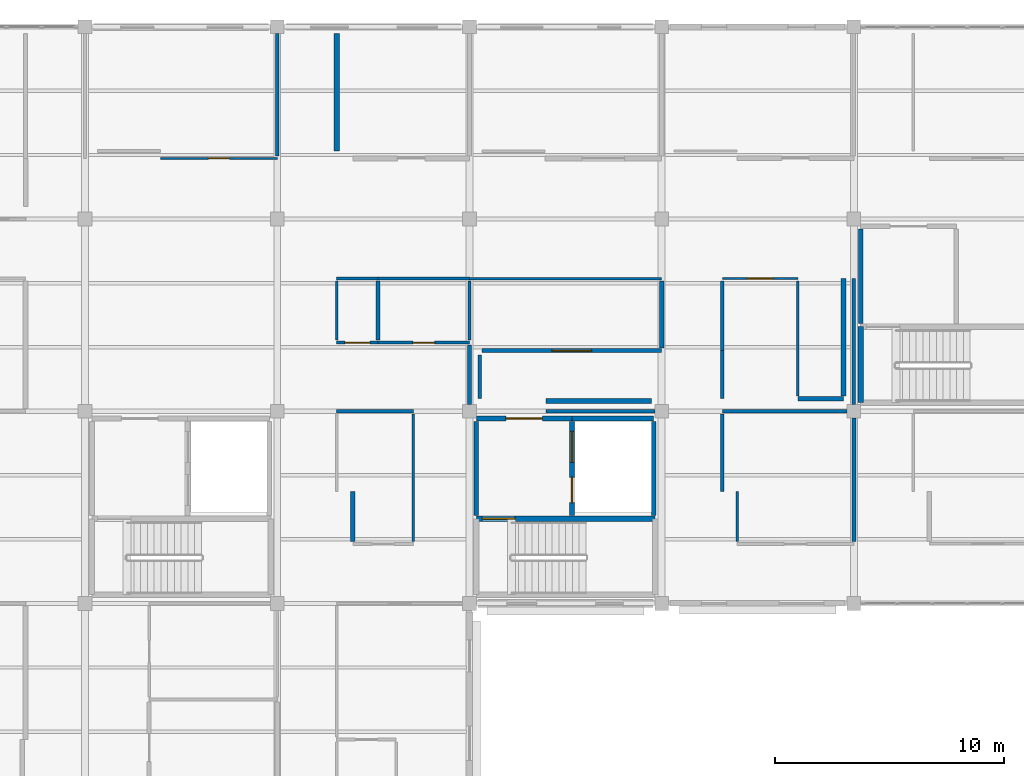
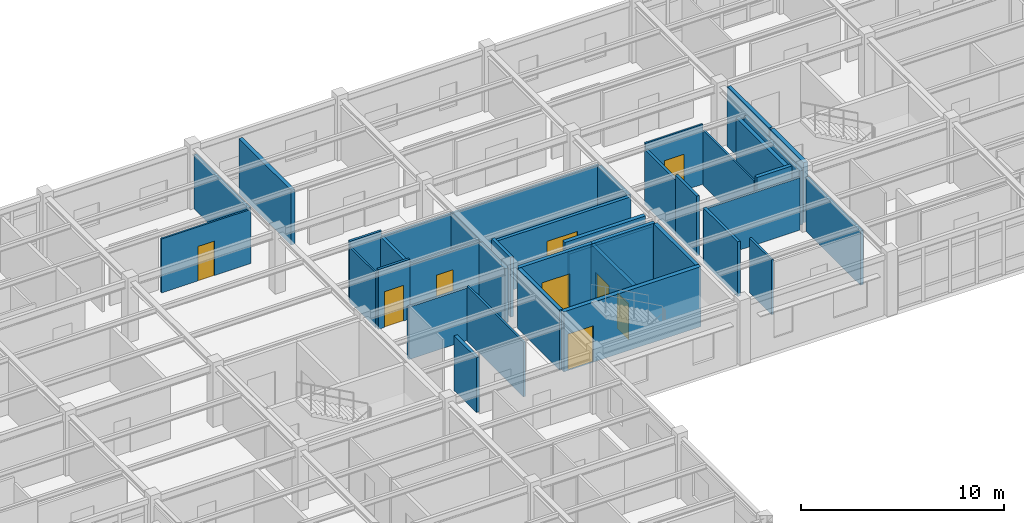
# One storey, part 63 of 86: 39 walls, 9 doors, 9 openings.
"""IFC4 building model written with IfcOpenShell, lengths in metres."""

from ifc_helpers import new_model, si_unit, direction, frame, frame_2d, origin, place, context, subcontext, project, spatial, rectangle, extrude, material, layer, layer_set, type_object, element, fill, save


model = new_model("IFC4")

# Units and contexts
model_context = context("Model", 3, precision=1e-05, world=origin(), true_north=direction((0.0, 1.0)))
body_context = subcontext(model_context, "Body", "Model", "MODEL_VIEW")
ifc_project = project(units=[si_unit("LENGTHUNIT", "METRE"), si_unit("AREAUNIT", "SQUARE_METRE"), si_unit("VOLUMEUNIT", "CUBIC_METRE"), si_unit("PLANEANGLEUNIT", "RADIAN"), si_unit("MASSUNIT", "GRAM", prefix="KILO")], contexts=[model_context])

# Site, building, storey
site_placement = place(None, origin())
site = spatial("IfcSite", under=ifc_project, at=site_placement, CompositionType="ELEMENT")
building_placement = place(site_placement, origin())
building = spatial("IfcBuilding", under=site, at=building_placement, Name="Bramfleet General Hospital", CompositionType="ELEMENT")
storey_placement = place(building_placement, frame((0.0, 0.0, 18.60009765625)))
storey = spatial("IfcBuildingStorey", under=building, at=storey_placement, Name="L04", CompositionType="ELEMENT", Elevation=18.60009765625)

# Walls
ifc_material_1 = material(Name="Concrete C35/45", Category="concrete")
ifc_layer_1 = layer(ifc_material_1, 0.219970703125, Name="WT-IW-01")
ifc_layer_set_1 = layer_set([ifc_layer_1], Name="Concrete C35/45")
wall_type_1 = type_object("IfcWallType", Name="WT-IW-01", PredefinedType="PARTITIONING", material=ifc_layer_set_1)
wall_1_placement = place(storey_placement, frame((120.949951171875, 101.25, 0.0), z_axis=(0.0, 0.0, 1.0), x_axis=(1.0, 0.0, 0.0)))
element("IfcWall", 1, at=wall_1_placement, inside=storey, type_object=wall_type_1, Name="L04 Interior Partition IW-L04-3217", PredefinedType="PARTITIONING", context=body_context, shape_type="SweptSolid", body=[
    extrude(rectangle(XDim=4.60009765625, YDim=0.219970703125, at=frame_2d((2.300048828125, 0.0))), origin(), (0.0, 0.0, 1.0), 3.60986328125),
])
wall_2_placement = place(storey_placement, frame((111.800048828125, 112.169921875, 0.0), z_axis=(0.0, 0.0, 1.0), x_axis=(0.0, 1.0, 0.0)))
element("IfcWall", 2, at=wall_2_placement, inside=storey, type_object=wall_type_1, Name="L04 Interior Partition IW-L04-3397", PredefinedType="PARTITIONING", context=body_context, shape_type="SweptSolid", body=[
    extrude(rectangle(XDim=5.150146484375, YDim=0.219970703125, at=frame_2d((2.5751953125, 0.0))), origin(), (0.0, 0.0, 1.0), 3.309814453125),
])
wall_3_placement = place(storey_placement, frame((133.949951171875, 101.465087890625, 0.0), z_axis=(0.0, 0.0, 1.0), x_axis=(0.0, 1.0, 0.0)))
element("IfcWall", 3, at=wall_3_placement, inside=storey, type_object=wall_type_1, Name="L04 Interior Partition IW-L04-3433", PredefinedType="PARTITIONING", context=body_context, shape_type="SweptSolid", body=[
    extrude(rectangle(XDim=5.135009765625, YDim=0.219970703125, at=frame_2d((2.5673828125, 0.0))), origin(), (0.0, 0.0, 1.0), 3.309814453125),
])

# Wall, openings, doors
ifc_layer_2 = layer(ifc_material_1, 0.205078125, Name="WT-IW-02")
ifc_layer_set_2 = layer_set([ifc_layer_2], Name="Concrete C35/45")
wall_type_2 = type_object("IfcWallType", Name="WT-IW-02", PredefinedType="PARTITIONING", material=ifc_layer_set_2)
wall_4_placement = place(storey_placement, frame((122.080078125, 96.239990234375, 0.0), z_axis=(0.0, 0.0, 1.0), x_axis=(0.0, 1.0, 0.0)))
wall_4 = element("IfcWall", 4, at=wall_4_placement, inside=storey, type_object=wall_type_2, Name="L04 C6 Lobby East Shaft Wall", PredefinedType="PARTITIONING", context=body_context, shape_type="SweptSolid", body=[
    extrude(rectangle(XDim=4.1201171875, YDim=0.205078125, at=frame_2d((2.06005859375, 0.0))), origin(), (0.0, 0.0, 1.0), 3.60986328125),
])
opening_1_placement = place(wall_4_placement, frame((0.570068359375, 0.0, 0.0)))
opening_1 = element("IfcOpeningElement", 5, at=opening_1_placement, cuts=wall_4, Name="Opening LD-PL-04-L04", PredefinedType="OPENING", context=body_context, shape_type="SweptSolid", body=[
    extrude(rectangle(XDim=1.10009765625, YDim=2.14990234375, at=frame_2d((0.550048828125, 1.074951171875))), frame((0.0, 0.112548828125, 0.0), z_axis=(0.0, -1.0, 0.0), x_axis=(1.0, 0.0, 0.0)), (0.0, 0.0, 1.0), 0.22509765625),
])
opening_2_placement = place(wall_4_placement, frame((2.324951171875, 0.0, 0.0)))
opening_2 = element("IfcOpeningElement", 6, at=opening_2_placement, cuts=wall_4, Name="Opening LD-GL-02-L04", PredefinedType="OPENING", context=body_context, shape_type="SweptSolid", body=[
    extrude(rectangle(XDim=1.35009765625, YDim=2.199951171875, at=frame_2d((0.675048828125, 1.10009765625))), frame((0.0, 0.112548828125, 0.0), z_axis=(0.0, -1.0, 0.0), x_axis=(1.0, 0.0, 0.0)), (0.0, 0.0, 1.0), 0.22509765625),
])
ifc_material_2 = material(Name="Brushed stainless steel 1.4301", Category="steel")
door_type_1 = type_object("IfcDoorType", Name="DR-LD-01", OperationType="NOTDEFINED", PredefinedType="DOOR", material=ifc_material_2)
door_1_placement = place(opening_2_placement, origin())
door_1 = element("IfcDoor", 7, at=door_1_placement, inside=storey, type_object=door_type_1, Name="L04 Lift GL-02 Sliding Landing Door", OperationType="SLIDING_TO_LEFT", OverallHeight=2.199951171875, OverallWidth=1.35009765625, PredefinedType="DOOR", context=body_context, shape_type="SweptSolid", body=[
    extrude(rectangle(XDim=1.35009765625, YDim=2.199951171875, at=frame_2d((0.675048828125, 1.10009765625))), frame((0.0, 0.02490234375, 0.0), z_axis=(0.0, -1.0, 0.0), x_axis=(1.0, 0.0, 0.0)), (0.0, 0.0, 1.0), 0.050048828125),
])
fill(opening_2, door_1)
door_type_2 = type_object("IfcDoorType", Name="DR-LD-02", OperationType="NOTDEFINED", PredefinedType="DOOR", material=ifc_material_2)
door_2_placement = place(opening_1_placement, origin())
door_2 = element("IfcDoor", 8, at=door_2_placement, inside=storey, type_object=door_type_2, Name="L04 Lift PL-04 Sliding Landing Door", OperationType="SLIDING_TO_LEFT", OverallHeight=2.14990234375, OverallWidth=1.10009765625, PredefinedType="DOOR", context=body_context, shape_type="SweptSolid", body=[
    extrude(rectangle(XDim=1.10009765625, YDim=2.14990234375, at=frame_2d((0.550048828125, 1.074951171875))), frame((0.0, 0.02490234375, 0.0), z_axis=(0.0, -1.0, 0.0), x_axis=(1.0, 0.0, 0.0)), (0.0, 0.0, 1.0), 0.050048828125),
])
fill(opening_1, door_2)

# Walls
wall_5_placement = place(storey_placement, frame((125.64990234375, 96.239990234375, 0.0), z_axis=(0.0, 0.0, 1.0), x_axis=(0.0, 1.0, 0.0)))
element("IfcWall", 9, at=wall_5_placement, inside=storey, type_object=wall_type_2, Name="L04 C6 Lift Shaft East Wall", PredefinedType="PARTITIONING", context=body_context, shape_type="SweptSolid", body=[
    extrude(rectangle(XDim=4.1201171875, YDim=0.205078125, at=frame_2d((2.06005859375, 0.0))), origin(), (0.0, 0.0, 1.0), 3.60986328125),
])
wall_6_placement = place(storey_placement, frame((122.080078125, 100.47998046875, 0.0), z_axis=(0.0, 0.0, 1.0), x_axis=(1.0, 0.0, 0.0)))
element("IfcWall", 10, at=wall_6_placement, inside=storey, type_object=wall_type_2, Name="L04 C6 Lift Shaft North Wall", PredefinedType="PARTITIONING", context=body_context, shape_type="SweptSolid", body=[
    extrude(rectangle(XDim=3.56982421875, YDim=0.205078125, at=frame_2d((1.784912109375, 0.0))), origin(), (0.0, 0.0, 1.0), 3.60986328125),
])
wall_7_placement = place(storey_placement, frame((117.89990234375, 96.239990234375, 0.0), z_axis=(0.0, 0.0, 1.0), x_axis=(0.0, 1.0, 0.0)))
element("IfcWall", 11, at=wall_7_placement, inside=storey, type_object=wall_type_2, Name="L04 C6 Lobby West Compartment Wall", PredefinedType="PARTITIONING", context=body_context, shape_type="SweptSolid", body=[
    extrude(rectangle(XDim=4.1201171875, YDim=0.205078125, at=frame_2d((2.06005859375, 0.0))), origin(), (0.0, 0.0, 1.0), 3.60986328125),
])

# Wall, opening, door
wall_8_placement = place(storey_placement, frame((117.89990234375, 100.47998046875, 0.0), z_axis=(0.0, 0.0, 1.0), x_axis=(1.0, 0.0, 0.0)))
wall_8 = element("IfcWall", 12, at=wall_8_placement, inside=storey, type_object=wall_type_2, Name="L04 C6 Lobby North Compartment Wall", PredefinedType="PARTITIONING", context=body_context, shape_type="SweptSolid", body=[
    extrude(rectangle(XDim=4.18017578125, YDim=0.205078125, at=frame_2d((2.090087890625, 0.0))), origin(), (0.0, 0.0, 1.0), 3.60986328125),
])
opening_3_placement = place(wall_8_placement, frame((1.2900390625, 0.0, 0.0)))
opening_3 = element("IfcOpeningElement", 13, at=opening_3_placement, cuts=wall_8, Name="Opening D0084", PredefinedType="OPENING", context=body_context, shape_type="SweptSolid", body=[
    extrude(rectangle(XDim=1.60009765625, YDim=2.25, at=frame_2d((0.800048828125, 1.125))), frame((0.0, 0.112548828125, 0.0), z_axis=(0.0, -1.0, 0.0), x_axis=(1.0, 0.0, 0.0)), (0.0, 0.0, 1.0), 0.22509765625),
])
ifc_material_3 = material(Name="Stainless steel and acoustic timber leaf", Category="steel")
door_type_3 = type_object("IfcDoorType", Name="DR-D-04", OperationType="NOTDEFINED", PredefinedType="DOOR", material=ifc_material_3)
door_3_placement = place(opening_3_placement, origin())
door_3 = element("IfcDoor", 14, at=door_3_placement, inside=storey, type_object=door_type_3, Name="L04 C6 Lobby Fire Door D0084", OperationType="DOUBLE_SWING_LEFT", OverallHeight=2.25, OverallWidth=1.60009765625, PredefinedType="DOOR", context=body_context, shape_type="SweptSolid", body=[
    extrude(rectangle(XDim=1.60009765625, YDim=2.25, at=frame_2d((0.800048828125, 1.125))), frame((0.0, 0.02490234375, 0.0), z_axis=(0.0, -1.0, 0.0), x_axis=(1.0, 0.0, 0.0)), (0.0, 0.0, 1.0), 0.050048828125),
])
fill(opening_3, door_3)

# Walls
wall_9_placement = place(storey_placement, frame((134.699951171875, 104.639892578125, 0.0), z_axis=(0.0, 0.0, 1.0), x_axis=(0.0, 1.0, 0.0)))
element("IfcWall", 15, at=wall_9_placement, inside=storey, type_object=wall_type_2, Name="L04 C9 Lobby West Compartment Wall", PredefinedType="PARTITIONING", context=body_context, shape_type="SweptSolid", body=[
    extrude(rectangle(XDim=4.1201171875, YDim=0.205078125, at=frame_2d((2.06005859375, 0.0))), origin(), (0.0, 0.0, 1.0), 3.60986328125),
])
wall_10_placement = place(storey_placement, frame((131.949951171875, 101.35009765625, 0.0), z_axis=(0.0, 0.0, 1.0), x_axis=(1.0, 0.0, 0.0)))
element("IfcWall", 16, at=wall_10_placement, inside=storey, type_object=wall_type_2, Name="L04 Interior Partition IW-L04-3218", PredefinedType="PARTITIONING", context=body_context, shape_type="SweptSolid", body=[
    extrude(rectangle(XDim=2.0, YDim=0.205078125, at=frame_2d((1.0, 0.0))), origin(), (0.0, 0.0, 1.0), 3.60986328125),
])
wall_11_placement = place(storey_placement, frame((126.0, 103.56494140625, 0.0), z_axis=(0.0, 0.0, 1.0), x_axis=(0.0, 1.0, 0.0)))
element("IfcWall", 17, at=wall_11_placement, inside=storey, type_object=wall_type_2, Name="L04 Interior Partition IW-L04-3422", PredefinedType="PARTITIONING", context=body_context, shape_type="SweptSolid", body=[
    extrude(rectangle(XDim=2.920166015625, YDim=0.205078125, at=frame_2d((1.4599609375, 0.0))), origin(), (0.0, 0.0, 1.0), 3.260009765625),
])
ifc_layer_3 = layer(ifc_material_1, 0.18994140625, Name="WT-IW-03")
ifc_layer_set_3 = layer_set([ifc_layer_3], Name="Concrete C35/45")
wall_type_3 = type_object("IfcWallType", Name="WT-IW-03", PredefinedType="PARTITIONING", material=ifc_layer_set_3)
wall_12_placement = place(storey_placement, frame((117.60009765625, 101.094970703125, 0.0), z_axis=(0.0, 0.0, 1.0), x_axis=(0.0, 1.0, 0.0)))
element("IfcWall", 18, at=wall_12_placement, inside=storey, type_object=wall_type_3, Name="L04 Interior Partition IW-L04-3411", PredefinedType="PARTITIONING", context=body_context, shape_type="SweptSolid", body=[
    extrude(rectangle(XDim=2.590087890625, YDim=0.18994140625, at=frame_2d((1.294921875, 0.0))), origin(), (0.0, 0.0, 1.0), 3.260009765625),
])

# Wall, opening, door
ifc_layer_4 = layer(ifc_material_1, 0.179931640625, Name="WT-IW-04")
ifc_layer_set_4 = layer_set([ifc_layer_4], Name="Concrete C35/45")
wall_type_4 = type_object("IfcWallType", Name="WT-IW-04", PredefinedType="PARTITIONING", material=ifc_layer_set_4)
wall_13_placement = place(storey_placement, frame((118.14990234375, 103.449951171875, 0.0), z_axis=(0.0, 0.0, 1.0), x_axis=(1.0, 0.0, 0.0)))
wall_13 = element("IfcWall", 19, at=wall_13_placement, inside=storey, type_object=wall_type_4, Name="L04 Interior Partition IW-L04-3220", PredefinedType="PARTITIONING", context=body_context, shape_type="SweptSolid", body=[
    extrude(rectangle(XDim=7.85009765625, YDim=0.179931640625, at=frame_2d((3.925048828125, 0.0))), origin(), (0.0, 0.0, 1.0), 3.260009765625),
])
opening_4_placement = place(wall_13_placement, frame((3.054931640625, 0.0, 0.0)))
opening_4 = element("IfcOpeningElement", 20, at=opening_4_placement, cuts=wall_13, Name="Opening D1299", PredefinedType="OPENING", context=body_context, shape_type="SweptSolid", body=[
    extrude(rectangle(XDim=1.739990234375, YDim=2.239990234375, at=frame_2d((0.8701171875, 1.1201171875))), frame((0.0, 0.099853515625, 0.0), z_axis=(0.0, -1.0, 0.0), x_axis=(1.0, 0.0, 0.0)), (0.0, 0.0, 1.0), 0.199951171875),
])
door_type_4 = type_object("IfcDoorType", Name="DR-D-19", OperationType="NOTDEFINED", PredefinedType="DOOR", material=ifc_material_3)
door_4_placement = place(opening_4_placement, origin())
door_4 = element("IfcDoor", 21, at=door_4_placement, inside=storey, type_object=door_type_4, Name="Patient Dayroom and Garden Lounge L04-1412 Door D1299", OperationType="DOUBLE_SWING_RIGHT", OverallHeight=2.239990234375, OverallWidth=1.739990234375, PredefinedType="DOOR", context=body_context, shape_type="SweptSolid", body=[
    extrude(rectangle(XDim=1.739990234375, YDim=2.239990234375, at=frame_2d((0.8701171875, 1.1201171875))), frame((0.0, 0.02490234375, 0.0), z_axis=(0.0, -1.0, 0.0), x_axis=(1.0, 0.0, 0.0)), (0.0, 0.0, 1.0), 0.050048828125),
])
fill(opening_4, door_4)

# Walls
wall_14_placement = place(storey_placement, frame((112.5, 95.114990234375, 0.0), z_axis=(0.0, 0.0, 1.0), x_axis=(0.0, 1.0, 0.0)))
element("IfcWall", 22, at=wall_14_placement, inside=storey, type_object=wall_type_4, Name="L04 Interior Partition IW-L04-3400", PredefinedType="PARTITIONING", context=body_context, shape_type="SweptSolid", body=[
    extrude(rectangle(XDim=2.18505859375, YDim=0.179931640625, at=frame_2d((1.092529296875, 0.0))), origin(), (0.0, 0.0, 1.0), 3.309814453125),
])
ifc_material_4 = material(Name="Gypsum plasterboard on acoustic steel studs", Category="steel")
ifc_layer_5 = layer(ifc_material_4, 0.169921875, Name="WT-IW-05")
ifc_layer_set_5 = layer_set([ifc_layer_5], Name="Gypsum plasterboard on acoustic steel studs")
wall_type_5 = type_object("IfcWallType", Name="WT-IW-05", PredefinedType="PARTITIONING", material=ifc_layer_set_5)
wall_15_placement = place(storey_placement, frame((113.60009765625, 103.9150390625, 0.0), z_axis=(0.0, 0.0, 1.0), x_axis=(0.0, 1.0, 0.0)))
element("IfcWall", 23, at=wall_15_placement, inside=storey, type_object=wall_type_5, Name="L04 Interior Partition IW-L04-3401", PredefinedType="PARTITIONING", context=body_context, shape_type="SweptSolid", body=[
    extrude(rectangle(XDim=2.570068359375, YDim=0.169921875, at=frame_2d((1.28515625, 0.0))), origin(), (0.0, 0.0, 1.0), 3.309814453125),
])
wall_16_placement = place(storey_placement, frame((134.39990234375, 95.114990234375, 0.0), z_axis=(0.0, 0.0, 1.0), x_axis=(0.0, 1.0, 0.0)))
element("IfcWall", 24, at=wall_16_placement, inside=storey, type_object=wall_type_5, Name="L04 Interior Partition IW-L04-3437", PredefinedType="PARTITIONING", context=body_context, shape_type="SweptSolid", body=[
    extrude(rectangle(XDim=5.389892578125, YDim=0.169921875, at=frame_2d((2.69482421875, 0.0))), origin(), (0.0, 0.0, 1.0), 3.260009765625),
])
ifc_layer_6 = layer(ifc_material_4, 0.159912109375, Name="WT-IW-06")
ifc_layer_set_6 = layer_set([ifc_layer_6], Name="Gypsum plasterboard on acoustic steel studs")
wall_type_6 = type_object("IfcWallType", Name="WT-IW-06", PredefinedType="PARTITIONING", material=ifc_layer_set_6)
wall_17_placement = place(storey_placement, frame((111.800048828125, 100.800048828125, 0.0), z_axis=(0.0, 0.0, 1.0), x_axis=(1.0, 0.0, 0.0)))
element("IfcWall", 25, at=wall_17_placement, inside=storey, type_object=wall_type_6, Name="L04 Interior Partition IW-L04-3210", PredefinedType="PARTITIONING", context=body_context, shape_type="SweptSolid", body=[
    extrude(rectangle(XDim=3.349853515625, YDim=0.159912109375, at=frame_2d((1.6748046875, 0.0))), origin(), (0.0, 0.0, 1.0), 3.159912109375),
])
wall_18_placement = place(storey_placement, frame((109.199951171875, 111.965087890625, 0.0), z_axis=(0.0, 0.0, 1.0), x_axis=(0.0, 1.0, 0.0)))
element("IfcWall", 26, at=wall_18_placement, inside=storey, type_object=wall_type_6, Name="L04 Interior Partition IW-L04-3378", PredefinedType="PARTITIONING", context=body_context, shape_type="SweptSolid", body=[
    extrude(rectangle(XDim=5.33984375, YDim=0.159912109375, at=frame_2d((2.669921875, 0.0))), origin(), (0.0, 0.0, 1.0), 3.260009765625),
])
wall_19_placement = place(storey_placement, frame((118.050048828125, 101.364990234375, 0.0), z_axis=(0.0, 0.0, 1.0), x_axis=(0.0, 1.0, 0.0)))
element("IfcWall", 27, at=wall_19_placement, inside=storey, type_object=wall_type_6, Name="L04 Interior Partition IW-L04-3414", PredefinedType="PARTITIONING", context=body_context, shape_type="SweptSolid", body=[
    extrude(rectangle(XDim=1.885009765625, YDim=0.159912109375, at=frame_2d((0.9423828125, 0.0))), origin(), (0.0, 0.0, 1.0), 3.60986328125),
])
wall_20_placement = place(storey_placement, frame((128.64990234375, 97.300048828125, 0.0), z_axis=(0.0, 0.0, 1.0), x_axis=(0.0, 1.0, 0.0)))
element("IfcWall", 28, at=wall_20_placement, inside=storey, type_object=wall_type_6, Name="L04 Interior Partition IW-L04-3426", PredefinedType="PARTITIONING", context=body_context, shape_type="SweptSolid", body=[
    extrude(rectangle(XDim=3.385009765625, YDim=0.159912109375, at=frame_2d((1.6923828125, 0.0))), origin(), (0.0, 0.0, 1.0), 3.309814453125),
])
wall_21_placement = place(storey_placement, frame((134.39990234375, 101.094970703125, 0.0), z_axis=(0.0, 0.0, 1.0), x_axis=(0.0, 1.0, 0.0)))
element("IfcWall", 29, at=wall_21_placement, inside=storey, type_object=wall_type_6, Name="L04 Interior Partition IW-L04-3438", PredefinedType="PARTITIONING", context=body_context, shape_type="SweptSolid", body=[
    extrude(rectangle(XDim=5.505126953125, YDim=0.159912109375, at=frame_2d((2.75244140625, 0.0))), origin(), (0.0, 0.0, 1.0), 3.260009765625),
])
ifc_layer_7 = layer(ifc_material_4, 0.14990234375, Name="WT-IW-07")
ifc_layer_set_7 = layer_set([ifc_layer_7], Name="Gypsum plasterboard on acoustic steel studs")
wall_type_7 = type_object("IfcWallType", Name="WT-IW-07", PredefinedType="PARTITIONING", material=ifc_layer_set_7)
wall_22_placement = place(storey_placement, frame((120.949951171875, 100.800048828125, 0.0), z_axis=(0.0, 0.0, 1.0), x_axis=(1.0, 0.0, 0.0)))
element("IfcWall", 30, at=wall_22_placement, inside=storey, type_object=wall_type_7, Name="L04 Interior Partition IW-L04-3211", PredefinedType="PARTITIONING", context=body_context, shape_type="SweptSolid", body=[
    extrude(rectangle(XDim=4.755126953125, YDim=0.14990234375, at=frame_2d((2.37744140625, 0.0))), origin(), (0.0, 0.0, 1.0), 3.159912109375),
])
wall_23_placement = place(storey_placement, frame((128.64990234375, 101.35009765625, 0.0), z_axis=(0.0, 0.0, 1.0), x_axis=(0.0, 1.0, 0.0)))
element("IfcWall", 31, at=wall_23_placement, inside=storey, type_object=wall_type_7, Name="L04 Interior Partition IW-L04-3427", PredefinedType="PARTITIONING", context=body_context, shape_type="SweptSolid", body=[
    extrude(rectangle(XDim=2.099853515625, YDim=0.14990234375, at=frame_2d((1.0498046875, 0.0))), origin(), (0.0, 0.0, 1.0), 3.60986328125),
])
ifc_layer_8 = layer(ifc_material_4, 0.139892578125, Name="WT-IW-08")
ifc_layer_set_8 = layer_set([ifc_layer_8], Name="Gypsum plasterboard on acoustic steel studs")
wall_type_8 = type_object("IfcWallType", Name="WT-IW-08", PredefinedType="PARTITIONING", material=ifc_layer_set_8)
wall_24_placement = place(storey_placement, frame((128.64990234375, 100.800048828125, 0.0), z_axis=(0.0, 0.0, 1.0), x_axis=(1.0, 0.0, 0.0)))
element("IfcWall", 32, at=wall_24_placement, inside=storey, type_object=wall_type_8, Name="L04 Interior Partition IW-L04-3212", PredefinedType="PARTITIONING", context=body_context, shape_type="SweptSolid", body=[
    extrude(rectangle(XDim=5.455078125, YDim=0.139892578125, at=frame_2d((2.7275390625, 0.0))), origin(), (0.0, 0.0, 1.0), 3.159912109375),
])
wall_25_placement = place(storey_placement, frame((128.64990234375, 103.449951171875, 0.0), z_axis=(0.0, 0.0, 1.0), x_axis=(0.0, 1.0, 0.0)))
element("IfcWall", 33, at=wall_25_placement, inside=storey, type_object=wall_type_8, Name="L04 Interior Partition IW-L04-3428", PredefinedType="PARTITIONING", context=body_context, shape_type="SweptSolid", body=[
    extrude(rectangle(XDim=3.03515625, YDim=0.139892578125, at=frame_2d((1.517578125, 0.0))), origin(), (0.0, 0.0, 1.0), 3.309814453125),
])

# Wall, opening, door
ifc_layer_9 = layer(ifc_material_4, 0.1298828125, Name="WT-IW-09")
ifc_layer_set_9 = layer_set([ifc_layer_9], Name="Gypsum plasterboard on acoustic steel studs")
wall_type_9 = type_object("IfcWallType", Name="WT-IW-09", PredefinedType="PARTITIONING", material=ifc_layer_set_9)
wall_26_placement = place(storey_placement, frame((111.800048828125, 103.800048828125, 0.0), z_axis=(0.0, 0.0, 1.0), x_axis=(1.0, 0.0, 0.0)))
wall_26 = element("IfcWall", 34, at=wall_26_placement, inside=storey, type_object=wall_type_9, Name="L04 Interior Partition IW-L04-3225", PredefinedType="PARTITIONING", context=body_context, shape_type="SweptSolid", body=[
    extrude(rectangle(XDim=1.800048828125, YDim=0.1298828125, at=frame_2d((0.89990234375, 0.0))), origin(), (0.0, 0.0, 1.0), 3.60986328125),
])
opening_5_placement = place(wall_26_placement, frame((0.35009765625, 0.0, 0.0)))
opening_5 = element("IfcOpeningElement", 35, at=opening_5_placement, cuts=wall_26, Name="Opening D1291", PredefinedType="OPENING", context=body_context, shape_type="SweptSolid", body=[
    extrude(rectangle(XDim=1.10009765625, YDim=2.14990234375, at=frame_2d((0.550048828125, 1.074951171875))), frame((0.0, 0.074951171875, 0.0), z_axis=(0.0, -1.0, 0.0), x_axis=(1.0, 0.0, 0.0)), (0.0, 0.0, 1.0), 0.14990234375),
])
door_type_5 = type_object("IfcDoorType", Name="DR-D-11", OperationType="NOTDEFINED", PredefinedType="DOOR", material=ifc_material_3)
door_5_placement = place(opening_5_placement, origin())
door_5 = element("IfcDoor", 36, at=door_5_placement, inside=storey, type_object=door_type_5, Name="Clean Medication and Treatment Room L04-1312 Door D1291", OperationType="SINGLE_SWING_RIGHT", OverallHeight=2.14990234375, OverallWidth=1.10009765625, PredefinedType="DOOR", context=body_context, shape_type="SweptSolid", body=[
    extrude(rectangle(XDim=1.10009765625, YDim=2.14990234375, at=frame_2d((0.550048828125, 1.074951171875))), frame((0.0, 0.02490234375, 0.0), z_axis=(0.0, -1.0, 0.0), x_axis=(1.0, 0.0, 0.0)), (0.0, 0.0, 1.0), 0.050048828125),
])
fill(opening_5, door_5)

# Wall
wall_27_placement = place(storey_placement, frame((111.800048828125, 106.60009765625, 0.0), z_axis=(0.0, 0.0, 1.0), x_axis=(1.0, 0.0, 0.0)))
element("IfcWall", 37, at=wall_27_placement, inside=storey, type_object=wall_type_9, Name="L04 Interior Partition IW-L04-3237", PredefinedType="PARTITIONING", context=body_context, shape_type="SweptSolid", body=[
    extrude(rectangle(XDim=1.800048828125, YDim=0.1298828125, at=frame_2d((0.89990234375, 0.0))), origin(), (0.0, 0.0, 1.0), 3.60986328125),
])

# Wall, opening, door
ifc_layer_10 = layer(ifc_material_4, 0.1201171875, Name="WT-IW-10")
ifc_layer_set_10 = layer_set([ifc_layer_10], Name="Gypsum plasterboard on acoustic steel studs")
wall_type_10 = type_object("IfcWallType", Name="WT-IW-10", PredefinedType="PARTITIONING", material=ifc_layer_set_10)
wall_28_placement = place(storey_placement, frame((113.60009765625, 103.800048828125, 0.0), z_axis=(0.0, 0.0, 1.0), x_axis=(1.0, 0.0, 0.0)))
wall_28 = element("IfcWall", 38, at=wall_28_placement, inside=storey, type_object=wall_type_10, Name="L04 Interior Partition IW-L04-3226", PredefinedType="PARTITIONING", context=body_context, shape_type="SweptSolid", body=[
    extrude(rectangle(XDim=4.0, YDim=0.1201171875, at=frame_2d((2.0, 0.0))), origin(), (0.0, 0.0, 1.0), 3.260009765625),
])
opening_6_placement = place(wall_28_placement, frame((1.52490234375, 0.0, 0.0)))
opening_6 = element("IfcOpeningElement", 39, at=opening_6_placement, cuts=wall_28, Name="Opening D1292", PredefinedType="OPENING", context=body_context, shape_type="SweptSolid", body=[
    extrude(rectangle(XDim=0.949951171875, YDim=2.10009765625, at=frame_2d((0.47509765625, 1.050048828125))), frame((0.0, 0.070068359375, 0.0), z_axis=(0.0, -1.0, 0.0), x_axis=(1.0, 0.0, 0.0)), (0.0, 0.0, 1.0), 0.14013671875),
])
door_type_6 = type_object("IfcDoorType", Name="DR-D-10", OperationType="NOTDEFINED", PredefinedType="DOOR", material=ifc_material_3)
door_6_placement = place(opening_6_placement, origin())
door_6 = element("IfcDoor", 40, at=door_6_placement, inside=storey, type_object=door_type_6, Name="L04 Accessible and Staff WC 1312 Door D1292", OperationType="SINGLE_SWING_LEFT", OverallHeight=2.10009765625, OverallWidth=0.949951171875, PredefinedType="DOOR", context=body_context, shape_type="SweptSolid", body=[
    extrude(rectangle(XDim=0.949951171875, YDim=2.10009765625, at=frame_2d((0.47509765625, 1.050048828125))), frame((0.0, 0.02490234375, 0.0), z_axis=(0.0, -1.0, 0.0), x_axis=(1.0, 0.0, 0.0)), (0.0, 0.0, 1.0), 0.050048828125),
])
fill(opening_6, door_6)

# Walls
wall_29_placement = place(storey_placement, frame((113.60009765625, 106.60009765625, 0.0), z_axis=(0.0, 0.0, 1.0), x_axis=(1.0, 0.0, 0.0)))
element("IfcWall", 41, at=wall_29_placement, inside=storey, type_object=wall_type_10, Name="L04 Interior Partition IW-L04-3238", PredefinedType="PARTITIONING", context=body_context, shape_type="SweptSolid", body=[
    extrude(rectangle(XDim=4.0, YDim=0.1201171875, at=frame_2d((2.0, 0.0))), origin(), (0.0, 0.0, 1.0), 3.260009765625),
])
wall_30_placement = place(storey_placement, frame((117.60009765625, 103.9150390625, 0.0), z_axis=(0.0, 0.0, 1.0), x_axis=(0.0, 1.0, 0.0)))
element("IfcWall", 42, at=wall_30_placement, inside=storey, type_object=wall_type_10, Name="L04 Interior Partition IW-L04-3412", PredefinedType="PARTITIONING", context=body_context, shape_type="SweptSolid", body=[
    extrude(rectangle(XDim=2.570068359375, YDim=0.1201171875, at=frame_2d((1.28515625, 0.0))), origin(), (0.0, 0.0, 1.0), 3.260009765625),
])
ifc_layer_11 = layer(ifc_material_4, 0.112060546875, Name="WT-IW-11")
ifc_layer_set_11 = layer_set([ifc_layer_11], Name="Gypsum plasterboard on acoustic steel studs")
wall_type_11 = type_object("IfcWallType", Name="WT-IW-11", PredefinedType="PARTITIONING", material=ifc_layer_set_11)
wall_31_placement = place(storey_placement, frame((117.60009765625, 106.60009765625, 0.0), z_axis=(0.0, 0.0, 1.0), x_axis=(1.0, 0.0, 0.0)))
element("IfcWall", 43, at=wall_31_placement, inside=storey, type_object=wall_type_11, Name="L04 Interior Partition IW-L04-3239", PredefinedType="PARTITIONING", context=body_context, shape_type="SweptSolid", body=[
    extrude(rectangle(XDim=8.39990234375, YDim=0.112060546875, at=frame_2d((4.199951171875, 0.0))), origin(), (0.0, 0.0, 1.0), 3.260009765625),
])
wall_32_placement = place(storey_placement, frame((115.14990234375, 95.114990234375, 0.0), z_axis=(0.0, 0.0, 1.0), x_axis=(0.0, 1.0, 0.0)))
element("IfcWall", 44, at=wall_32_placement, inside=storey, type_object=wall_type_11, Name="L04 Interior Partition IW-L04-3407", PredefinedType="PARTITIONING", context=body_context, shape_type="SweptSolid", body=[
    extrude(rectangle(XDim=5.570068359375, YDim=0.112060546875, at=frame_2d((2.78515625, 0.0))), origin(), (0.0, 0.0, 1.0), 3.309814453125),
])
wall_33_placement = place(storey_placement, frame((129.300048828125, 95.114990234375, 0.0), z_axis=(0.0, 0.0, 1.0), x_axis=(0.0, 1.0, 0.0)))
element("IfcWall", 45, at=wall_33_placement, inside=storey, type_object=wall_type_11, Name="L04 Interior Partition IW-L04-3431", PredefinedType="PARTITIONING", context=body_context, shape_type="SweptSolid", body=[
    extrude(rectangle(XDim=2.18505859375, YDim=0.112060546875, at=frame_2d((1.092529296875, 0.0))), origin(), (0.0, 0.0, 1.0), 3.309814453125),
])

# Wall, opening, door
ifc_layer_12 = layer(ifc_material_4, 0.10009765625, Name="WT-IW-12")
ifc_layer_set_12 = layer_set([ifc_layer_12], Name="Gypsum plasterboard on acoustic steel studs")
wall_type_12 = type_object("IfcWallType", Name="WT-IW-12", PredefinedType="PARTITIONING", material=ifc_layer_set_12)
wall_34_placement = place(storey_placement, frame((128.64990234375, 106.60009765625, 0.0), z_axis=(0.0, 0.0, 1.0), x_axis=(1.0, 0.0, 0.0)))
wall_34 = element("IfcWall", 46, at=wall_34_placement, inside=storey, type_object=wall_type_12, Name="L04 Interior Partition IW-L04-3240", PredefinedType="PARTITIONING", context=body_context, shape_type="SweptSolid", body=[
    extrude(rectangle(XDim=3.300048828125, YDim=0.10009765625, at=frame_2d((1.64990234375, 0.0))), origin(), (0.0, 0.0, 1.0), 3.60986328125),
])
opening_7_placement = place(wall_34_placement, frame((1.090087890625, 0.0, 0.0)))
opening_7 = element("IfcOpeningElement", 47, at=opening_7_placement, cuts=wall_34, Name="Opening D1307", PredefinedType="OPENING", context=body_context, shape_type="SweptSolid", body=[
    extrude(rectangle(XDim=1.1201171875, YDim=2.179931640625, at=frame_2d((0.56005859375, 1.08984375))), frame((0.0, 0.06005859375, 0.0), z_axis=(0.0, -1.0, 0.0), x_axis=(1.0, 0.0, 0.0)), (0.0, 0.0, 1.0), 0.1201171875),
])
door_type_7 = type_object("IfcDoorType", Name="DR-D-27", OperationType="NOTDEFINED", PredefinedType="DOOR", material=ifc_material_3)
door_7_placement = place(opening_7_placement, origin())
door_7 = element("IfcDoor", 48, at=door_7_placement, inside=storey, type_object=door_type_7, Name="Ward Linen and Clean Utility L04-1512 Door D1307", OperationType="SINGLE_SWING_RIGHT", OverallHeight=2.179931640625, OverallWidth=1.1201171875, PredefinedType="DOOR", context=body_context, shape_type="SweptSolid", body=[
    extrude(rectangle(XDim=1.1201171875, YDim=2.179931640625, at=frame_2d((0.56005859375, 1.08984375))), frame((0.0, 0.02490234375, 0.0), z_axis=(0.0, -1.0, 0.0), x_axis=(1.0, 0.0, 0.0)), (0.0, 0.0, 1.0), 0.050048828125),
])
fill(opening_7, door_7)

wall_35_placement = place(storey_placement, frame((104.10009765625, 111.85009765625, 0.0), z_axis=(0.0, 0.0, 1.0), x_axis=(1.0, 0.0, 0.0)))
wall_35 = element("IfcWall", 49, at=wall_35_placement, inside=storey, type_object=wall_type_12, Name="L04 Interior Partition IW-L04-3264", PredefinedType="PARTITIONING", context=body_context, shape_type="SweptSolid", body=[
    extrude(rectangle(XDim=5.099853515625, YDim=0.10009765625, at=frame_2d((2.5498046875, 0.0))), origin(), (0.0, 0.0, 1.0), 3.260009765625),
])
opening_8_placement = place(wall_35_placement, frame((2.090087890625, 0.0, 0.0)))
opening_8 = element("IfcOpeningElement", 50, at=opening_8_placement, cuts=wall_35, Name="Opening D1273", PredefinedType="OPENING", context=body_context, shape_type="SweptSolid", body=[
    extrude(rectangle(XDim=0.919921875, YDim=2.080078125, at=frame_2d((0.4599609375, 1.0400390625))), frame((0.0, 0.06005859375, 0.0), z_axis=(0.0, -1.0, 0.0), x_axis=(1.0, 0.0, 0.0)), (0.0, 0.0, 1.0), 0.1201171875),
])
door_type_8 = type_object("IfcDoorType", Name="DR-D-25", OperationType="NOTDEFINED", PredefinedType="DOOR", material=ifc_material_3)
door_8_placement = place(opening_8_placement, origin())
door_8 = element("IfcDoor", 51, at=door_8_placement, inside=storey, type_object=door_type_8, Name="Surgical Inpatient Ward Bedroom L04-1213 Door D1273", OperationType="SINGLE_SWING_RIGHT", OverallHeight=2.080078125, OverallWidth=0.919921875, PredefinedType="DOOR", context=body_context, shape_type="SweptSolid", body=[
    extrude(rectangle(XDim=0.919921875, YDim=2.080078125, at=frame_2d((0.4599609375, 1.0400390625))), frame((0.0, 0.02490234375, 0.0), z_axis=(0.0, -1.0, 0.0), x_axis=(1.0, 0.0, 0.0)), (0.0, 0.0, 1.0), 0.050048828125),
])
fill(opening_8, door_8)

# Walls
wall_36_placement = place(storey_placement, frame((111.800048828125, 103.9150390625, 0.0), z_axis=(0.0, 0.0, 1.0), x_axis=(0.0, 1.0, 0.0)))
element("IfcWall", 52, at=wall_36_placement, inside=storey, type_object=wall_type_12, Name="L04 Interior Partition IW-L04-3396", PredefinedType="PARTITIONING", context=body_context, shape_type="SweptSolid", body=[
    extrude(rectangle(XDim=2.570068359375, YDim=0.10009765625, at=frame_2d((1.28515625, 0.0))), origin(), (0.0, 0.0, 1.0), 3.309814453125),
])
wall_37_placement = place(storey_placement, frame((131.949951171875, 101.465087890625, 0.0), z_axis=(0.0, 0.0, 1.0), x_axis=(0.0, 1.0, 0.0)))
element("IfcWall", 53, at=wall_37_placement, inside=storey, type_object=wall_type_12, Name="L04 Interior Partition IW-L04-3432", PredefinedType="PARTITIONING", context=body_context, shape_type="SweptSolid", body=[
    extrude(rectangle(XDim=5.02001953125, YDim=0.10009765625, at=frame_2d((2.510009765625, 0.0))), origin(), (0.0, 0.0, 1.0), 3.309814453125),
])

# Wall, opening, door
ifc_material_5 = material(Name="Concrete C40/50", Category="concrete")
ifc_layer_13 = layer(ifc_material_5, 0.239990234375, Name="WT-SW-240")
ifc_layer_set_13 = layer_set([ifc_layer_13], Name="Concrete C40/50")
wall_type_13 = type_object("IfcWallType", Name="WT-SW-240", PredefinedType="SHEAR", material=ifc_layer_set_13)
wall_38_placement = place(storey_placement, frame((117.89990234375, 96.10009765625, 0.0), z_axis=(0.0, 0.0, 1.0), x_axis=(1.0, 0.0, 0.0)))
wall_38 = element("IfcWall", 54, at=wall_38_placement, inside=storey, type_object=wall_type_13, Name="L04 C6 Stair-Lobby Shear Wall", PredefinedType="SHEAR", context=body_context, shape_type="SweptSolid", body=[
    extrude(rectangle(XDim=7.820068359375, YDim=0.239990234375, at=frame_2d((3.91015625, 0.0))), origin(), (0.0, 0.0, 1.0), 3.619873046875),
])
opening_9_placement = place(wall_38_placement, frame((0.25, 0.0, 0.0)))
opening_9 = element("IfcOpeningElement", 55, at=opening_9_placement, cuts=wall_38, Name="Opening D0083", PredefinedType="OPENING", context=body_context, shape_type="SweptSolid", body=[
    extrude(rectangle(XDim=1.449951171875, YDim=2.199951171875, at=frame_2d((0.72509765625, 1.10009765625))), frame((0.0, 0.1298828125, 0.0), z_axis=(0.0, -1.0, 0.0), x_axis=(1.0, 0.0, 0.0)), (0.0, 0.0, 1.0), 0.260009765625),
])
door_type_9 = type_object("IfcDoorType", Name="DR-D-03", OperationType="NOTDEFINED", PredefinedType="DOOR", material=ifc_material_3)
door_9_placement = place(opening_9_placement, origin())
door_9 = element("IfcDoor", 56, at=door_9_placement, inside=storey, type_object=door_type_9, Name="L04 C6 Escape Stair Fire Door D0083", OperationType="SINGLE_SWING_RIGHT", OverallHeight=2.199951171875, OverallWidth=1.449951171875, PredefinedType="DOOR", context=body_context, shape_type="SweptSolid", body=[
    extrude(rectangle(XDim=1.449951171875, YDim=2.199951171875, at=frame_2d((0.72509765625, 1.10009765625))), frame((0.0, 0.02490234375, 0.0), z_axis=(0.0, -1.0, 0.0), x_axis=(1.0, 0.0, 0.0)), (0.0, 0.0, 1.0), 0.050048828125),
])
fill(opening_9, door_9)

# Wall
wall_39_placement = place(storey_placement, frame((134.699951171875, 101.179931640625, 0.0), z_axis=(0.0, 0.0, 1.0), x_axis=(0.0, 1.0, 0.0)))
element("IfcWall", 57, at=wall_39_placement, inside=storey, type_object=wall_type_13, Name="L04 C9 West Stair Shear Wall", PredefinedType="SHEAR", context=body_context, shape_type="SweptSolid", body=[
    extrude(rectangle(XDim=3.320068359375, YDim=0.239990234375, at=frame_2d((1.66015625, 0.0))), origin(), (0.0, 0.0, 1.0), 3.619873046875),
])

save(model, "model.ifc")
